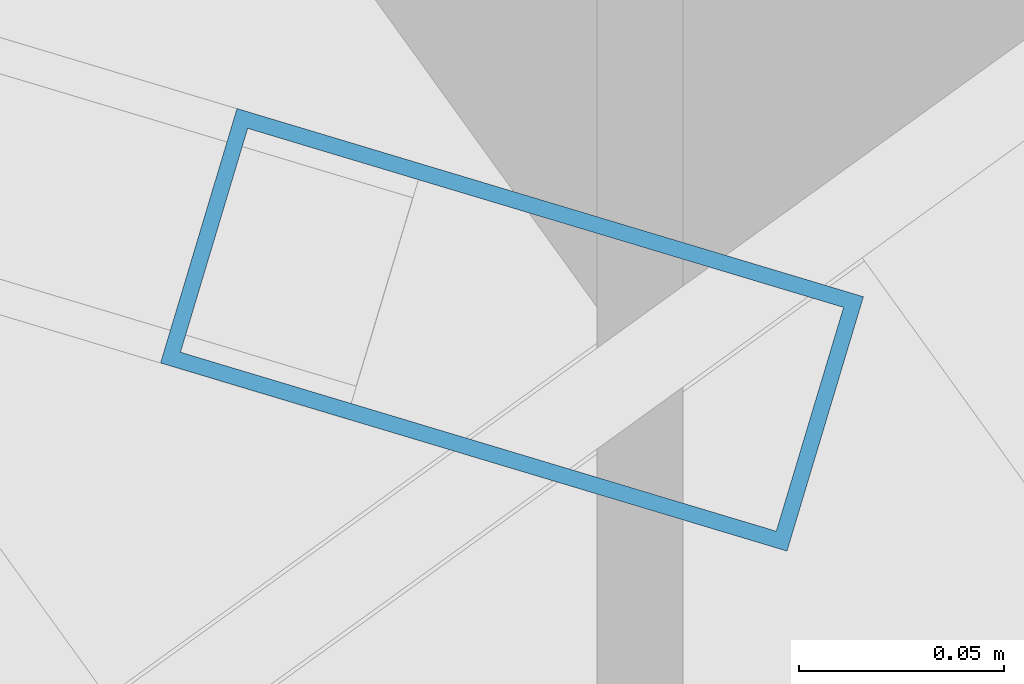
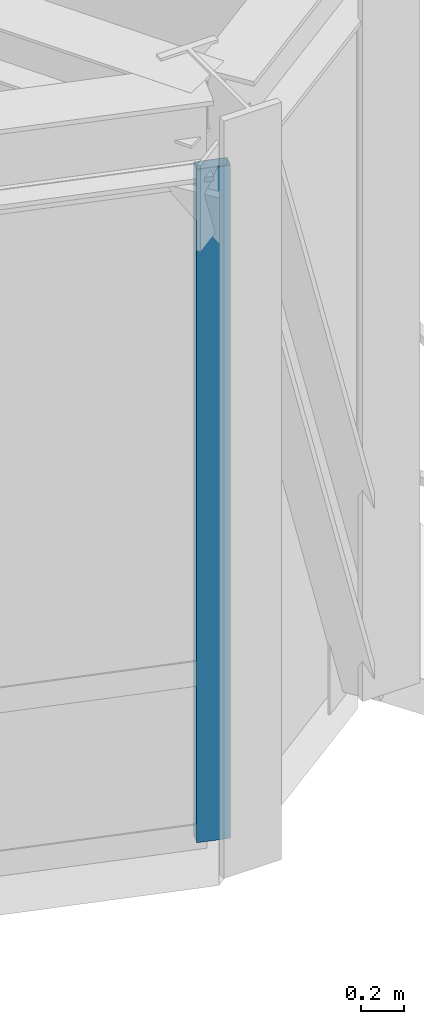
# One storey, part 9 of 23: 1 member, 1 element without a shape of its own.
"""IFC4 building model written with IfcOpenShell, lengths in metres."""

from ifc_helpers import new_model, si_unit, direction, frame, origin, origin_2d, place, context, subcontext, project, spatial, hollow_rectangle, extrude, source, transform, mapped, material, material_profile, profile_set, type_object, element, aggregate, save


model = new_model("IFC4")

# Units and contexts
model_context = context("Model", 3, precision=1e-05, world=origin(), true_north=direction((0.0, 1.0)))
body_context = subcontext(model_context, "Body", "Model", "MODEL_VIEW")
ifc_project = project(units=[si_unit("LENGTHUNIT", "METRE"), si_unit("AREAUNIT", "SQUARE_METRE"), si_unit("VOLUMEUNIT", "CUBIC_METRE"), si_unit("PLANEANGLEUNIT", "RADIAN"), si_unit("MASSUNIT", "GRAM", prefix="KILO")], contexts=[model_context])

# Site, building, storey
site_placement = place(None, origin())
site = spatial("IfcSite", under=ifc_project, at=site_placement, CompositionType="ELEMENT")
building_placement = place(site_placement, origin())
building = spatial("IfcBuilding", under=site, at=building_placement, Name="Olszyna Solenne Hotel", CompositionType="ELEMENT")
storey_placement = place(building_placement, frame((0.0, 0.0, 290.5)))
storey = spatial("IfcBuildingStorey", under=building, at=storey_placement, Name="L77", CompositionType="ELEMENT", Elevation=290.5)

# Curtain wall, member
ifc_material = material(Name="Anodised bronze aluminium", Category="aluminium")
curtain_wall_type = type_object("IfcCurtainWallType", Name="CW-SYS-7", PredefinedType="NOTDEFINED", material=ifc_material)
curtain_wall_placement = place(storey_placement, origin())
curtain_wall = element("IfcCurtainWall", 1, at=curtain_wall_placement, inside=storey, type_object=curtain_wall_type, Name="Unitised curtain wall CW-SYS-7 CW-L77-01", PredefinedType="NOTDEFINED")
ifc_material_profile = material_profile(ifc_material, hollow_rectangle(XDim=0.06494140625, YDim=0.159912109375, WallThickness=0.00390625, at=origin_2d()), Name="MULL 160x65x4", Category="load-bearing")
ifc_profile_set = profile_set([ifc_material_profile], Name="Anodised bronze aluminium")
member_type = type_object("IfcMemberType", Name="CW-M3", PredefinedType="MULLION", material=ifc_profile_set)
shared_shape = source(origin(), body_context, "Body", "SweptSolid", [
    extrude(hollow_rectangle(XDim=0.06494140625, YDim=0.159912109375, WallThickness=0.00390625, at=origin_2d()), origin(), (0.0, 0.0, 1.0), 3.781982421875),
])
member_placement = place(storey_placement, frame((48.985595703125, 7.09619140625, 0.0), z_axis=(0.0, 0.0, 1.0), x_axis=(0.28772728269, 0.957712384172, 0.0)))
member = element("IfcMember", 2, at=member_placement, type_object=member_type, Name="Curtain-wall mullion CW-M3 CM-L77-01-04", PredefinedType="MULLION", context=body_context, shape_type="MappedRepresentation", body=[
    mapped(shared_shape, transform((0.0, 0.0, 0.0), x_axis=(1.0, 0.0, 0.0), y_axis=(0.0, 1.0, 0.0), z_axis=(0.0, 0.0, 1.0), scale=1.0)),
])
aggregate(curtain_wall, [member])

save(model, "model.ifc")
